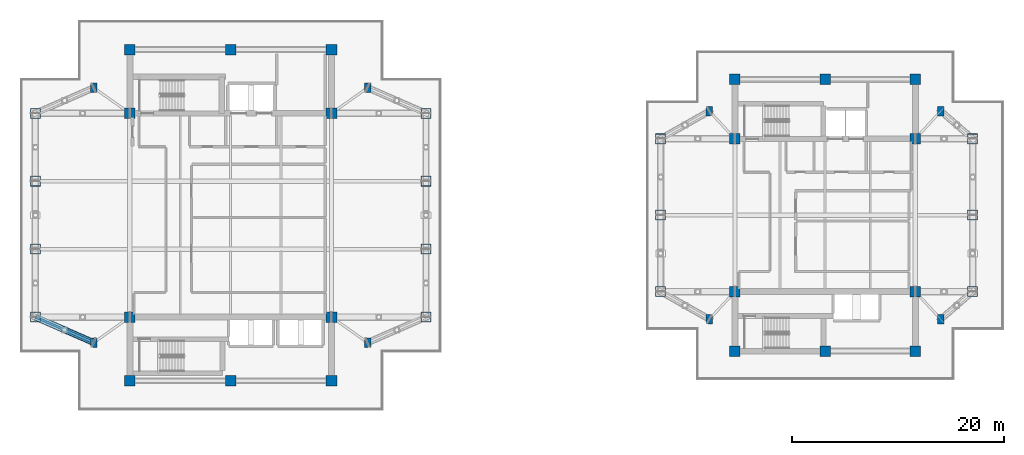
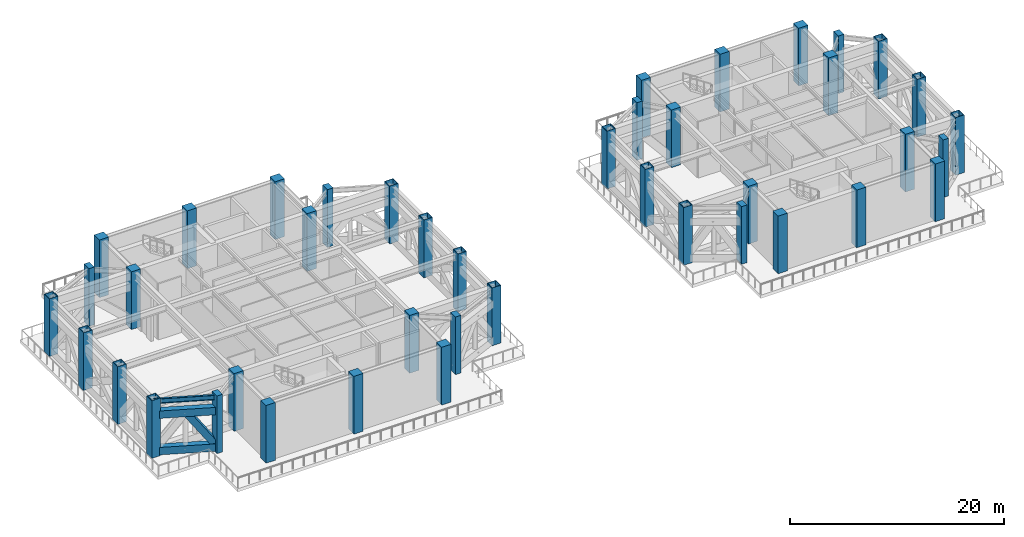
# One storey, part 1 of 18: 42 columns, 3 members, 1 beam.
"""IFC4 building model written with IfcOpenShell, lengths in metres."""

from ifc_helpers import new_model, si_unit, direction, frame, origin, origin_2d, place, context, subcontext, project, spatial, rectangle, hollow_rectangle, i_section, extrude, material, material_profile, profile_set, type_object, element, save


model = new_model("IFC4")

# Units and contexts
model_context = context("Model", 3, precision=1e-05, world=origin(), true_north=direction((0.0, 1.0)))
body_context = subcontext(model_context, "Body", "Model", "MODEL_VIEW")
ifc_project = project(units=[si_unit("LENGTHUNIT", "METRE"), si_unit("AREAUNIT", "SQUARE_METRE"), si_unit("VOLUMEUNIT", "CUBIC_METRE"), si_unit("PLANEANGLEUNIT", "RADIAN"), si_unit("MASSUNIT", "GRAM", prefix="KILO")], contexts=[model_context])

# Site, building, storey
site_placement = place(None, origin())
site = spatial("IfcSite", under=ifc_project, at=site_placement, CompositionType="ELEMENT")
building_placement = place(site_placement, origin())
building = spatial("IfcBuilding", under=site, at=building_placement, Name="Mirazonda Arch Towers", CompositionType="ELEMENT")
storey_placement = place(building_placement, frame((0.0, 0.0, 147.800048828125)))
storey = spatial("IfcBuildingStorey", under=building, at=storey_placement, Name="L42", CompositionType="ELEMENT", Elevation=147.800048828125)

# Columns
ifc_material_1 = material(Name="Concrete C50/60", Category="concrete")
ifc_material_profile_1 = material_profile(ifc_material_1, rectangle(XDim=1.0, YDim=1.0, at=origin_2d()), Name="RC1000x1000")
ifc_profile_set_1 = profile_set([ifc_material_profile_1], Name="Concrete C50/60")
column_type_1 = type_object("IfcColumnType", Name="COL-INT-RC1000x1000", PredefinedType="COLUMN", material=ifc_profile_set_1)
for number, where, z_axis, x_axis, name in (
    (1, (11.0, 12.39990234375, 0.0), (0.0, 0.0, 1.0), (1.0, 0.0, 0.0), "L42 T1 Core Column 01"),
    (2, (20.5, 12.39990234375, 0.0), (0.0, 0.0, 1.0), (1.0, 0.0, 0.0), "L42 T1 Core Column 02"),
    (3, (30.0, 12.39990234375, 0.0), (0.0, 0.0, 1.0), (1.0, 0.0, 0.0), "L42 T1 Core Column 03"),
    (4, (11.0, 18.39990234375, 0.0), (0.0, 0.0, 1.0), (1.0, 0.0, 0.0), "L42 T1 Core Column 04"),
    (5, (30.0, 18.39990234375, 0.0), (0.0, 0.0, 1.0), (1.0, 0.0, 0.0), "L42 T1 Core Column 05"),
    (6, (11.0, 37.60009765625, 0.0), (0.0, 0.0, 1.0), (1.0, 0.0, 0.0), "L42 T1 Core Column 06"),
    (7, (30.0, 37.60009765625, 0.0), (0.0, 0.0, 1.0), (1.0, 0.0, 0.0), "L42 T1 Core Column 07"),
    (8, (11.0, 43.60009765625, 0.0), (0.0, 0.0, 1.0), (1.0, 0.0, 0.0), "L42 T1 Core Column 08"),
    (9, (20.5, 43.60009765625, 0.0), (0.0, 0.0, 1.0), (1.0, 0.0, 0.0), "L42 T1 Core Column 09"),
    (10, (30.0, 43.60009765625, 0.0), (0.0, 0.0, 1.0), (1.0, 0.0, 0.0), "L42 T1 Core Column 10"),
    (11, (68.0, 15.199951171875, 0.0), (0.0, 0.0, 1.0), (1.0, 0.0, 0.0), "L42 T2 Core Column 01"),
    (12, (76.5, 15.199951171875, 0.0), (0.0, 0.0, 1.0), (1.0, 0.0, 0.0), "L42 T2 Core Column 02"),
    (13, (85.0, 15.199951171875, 0.0), (0.0, 0.0, 1.0), (1.0, 0.0, 0.0), "L42 T2 Core Column 03"),
    (14, (68.0, 20.800048828125, 0.0), (0.0, 0.0, 1.0), (1.0, 0.0, 0.0), "L42 T2 Core Column 04"),
    (15, (85.0, 20.800048828125, 0.0), (0.0, 0.0, 1.0), (1.0, 0.0, 0.0), "L42 T2 Core Column 05"),
    (16, (68.0, 35.199951171875, 0.0), (0.0, 0.0, 1.0), (1.0, 0.0, 0.0), "L42 T2 Core Column 06"),
    (17, (85.0, 35.199951171875, 0.0), (0.0, 0.0, 1.0), (1.0, 0.0, 0.0), "L42 T2 Core Column 07"),
    (18, (68.0, 40.800048828125, 0.0), (0.0, 0.0, 1.0), (1.0, 0.0, 0.0), "L42 T2 Core Column 08"),
    (19, (76.5, 40.800048828125, 0.0), (0.0, 0.0, 1.0), (1.0, 0.0, 0.0), "L42 T2 Core Column 09"),
    (20, (85.0, 40.800048828125, 0.0), (0.0, 0.0, 1.0), (1.0, 0.0, 0.0), "L42 T2 Core Column 10"),
):
    element("IfcColumn", number, at=place(storey_placement, frame(where, z_axis=z_axis, x_axis=x_axis)), inside=storey, type_object=column_type_1, Name=name, PredefinedType="COLUMN", context=body_context, shape_type="SweptSolid", body=[
        extrude(rectangle(XDim=1.0, YDim=1.0, at=origin_2d()), origin(), (0.0, 0.0, 1.0), 6.599853515625),
    ])
ifc_material_2 = material(Name="Steel ASTM A572 Grade 50", Category="steel")
ifc_material_profile_2 = material_profile(ifc_material_2, hollow_rectangle(XDim=0.949951171875, YDim=0.949951171875, WallThickness=0.050048828125, at=origin_2d()), Name="BOX950x950x50")
ifc_profile_set_2 = profile_set([ifc_material_profile_2], Name="Steel ASTM A572 Grade 50")
column_type_2 = type_object("IfcColumnType", Name="MCOL-EXT-BOX950x950x50", PredefinedType="COLUMN", material=ifc_profile_set_2)
for number, where, z_axis, x_axis, name in (
    (21, (2.10009765625, 18.39990234375, 0.0), (0.0, 0.0, 1.0), (1.0, 0.0, 0.0), "L42 T1 Composite Mega-Column 01"),
    (22, (2.10009765625, 24.800048828125, 0.0), (0.0, 0.0, 1.0), (1.0, 0.0, 0.0), "L42 T1 Composite Mega-Column 02"),
    (23, (2.10009765625, 31.199951171875, 0.0), (0.0, 0.0, 1.0), (1.0, 0.0, 0.0), "L42 T1 Composite Mega-Column 03"),
    (24, (2.10009765625, 37.60009765625, 0.0), (0.0, 0.0, 1.0), (1.0, 0.0, 0.0), "L42 T1 Composite Mega-Column 04"),
    (25, (38.89990234375, 18.39990234375, 0.0), (0.0, 0.0, 1.0), (1.0, 0.0, 0.0), "L42 T1 Composite Mega-Column 05"),
    (26, (38.89990234375, 24.800048828125, 0.0), (0.0, 0.0, 1.0), (1.0, 0.0, 0.0), "L42 T1 Composite Mega-Column 06"),
    (27, (38.89990234375, 31.199951171875, 0.0), (0.0, 0.0, 1.0), (1.0, 0.0, 0.0), "L42 T1 Composite Mega-Column 07"),
    (28, (38.89990234375, 37.60009765625, 0.0), (0.0, 0.0, 1.0), (1.0, 0.0, 0.0), "L42 T1 Composite Mega-Column 08"),
    (29, (61.0, 20.800048828125, 0.0), (0.0, 0.0, 1.0), (1.0, 0.0, 0.0), "L42 T2 Composite Mega-Column 01"),
    (30, (61.0, 28.0, 0.0), (0.0, 0.0, 1.0), (1.0, 0.0, 0.0), "L42 T2 Composite Mega-Column 02"),
    (31, (61.0, 35.199951171875, 0.0), (0.0, 0.0, 1.0), (1.0, 0.0, 0.0), "L42 T2 Composite Mega-Column 03"),
    (32, (90.39990234375, 20.800048828125, 0.0), (0.0, 0.0, 1.0), (1.0, 0.0, 0.0), "L42 T2 Composite Mega-Column 04"),
    (33, (90.39990234375, 28.0, 0.0), (0.0, 0.0, 1.0), (1.0, 0.0, 0.0), "L42 T2 Composite Mega-Column 05"),
    (34, (90.39990234375, 35.199951171875, 0.0), (0.0, 0.0, 1.0), (1.0, 0.0, 0.0), "L42 T2 Composite Mega-Column 06"),
):
    element("IfcColumn", number, at=place(storey_placement, frame(where, z_axis=z_axis, x_axis=x_axis)), inside=storey, type_object=column_type_2, Name=name, PredefinedType="COLUMN", context=body_context, shape_type="SweptSolid", body=[
        extrude(hollow_rectangle(XDim=0.949951171875, YDim=0.949951171875, WallThickness=0.050048828125, at=origin_2d()), origin(), (0.0, 0.0, 1.0), 6.599853515625),
    ])
ifc_material_profile_3 = material_profile(ifc_material_1, rectangle(XDim=0.60009765625, YDim=0.89990234375, at=origin_2d()), Name="RC900x600")
ifc_profile_set_3 = profile_set([ifc_material_profile_3], Name="Concrete C50/60")
column_type_3 = type_object("IfcColumnType", Name="PIL-EXT-RC900x600", PredefinedType="PILASTER", material=ifc_profile_set_3)
for number, where, z_axis, x_axis, name in (
    (35, (7.60009765625, 16.0, 0.0), (0.0, 0.0, 1.0), (1.0, 0.0, 0.0), "L42 T1 Corner Pilaster 01"),
    (36, (33.39990234375, 16.0, 0.0), (0.0, 0.0, 1.0), (1.0, 0.0, 0.0), "L42 T1 Corner Pilaster 02"),
    (37, (7.60009765625, 40.0, 0.0), (0.0, 0.0, 1.0), (1.0, 0.0, 0.0), "L42 T1 Corner Pilaster 03"),
    (38, (33.39990234375, 40.0, 0.0), (0.0, 0.0, 1.0), (1.0, 0.0, 0.0), "L42 T1 Corner Pilaster 04"),
    (39, (65.60009765625, 18.199951171875, 0.0), (0.0, 0.0, 1.0), (1.0, 0.0, 0.0), "L42 T2 Corner Pilaster 01"),
    (40, (87.39990234375, 18.199951171875, 0.0), (0.0, 0.0, 1.0), (1.0, 0.0, 0.0), "L42 T2 Corner Pilaster 02"),
    (41, (65.60009765625, 37.800048828125, 0.0), (0.0, 0.0, 1.0), (1.0, 0.0, 0.0), "L42 T2 Corner Pilaster 03"),
    (42, (87.39990234375, 37.800048828125, 0.0), (0.0, 0.0, 1.0), (1.0, 0.0, 0.0), "L42 T2 Corner Pilaster 04"),
):
    element("IfcColumn", number, at=place(storey_placement, frame(where, z_axis=z_axis, x_axis=x_axis)), inside=storey, type_object=column_type_3, Name=name, PredefinedType="PILASTER", context=body_context, shape_type="SweptSolid", body=[
        extrude(rectangle(XDim=0.60009765625, YDim=0.89990234375, at=origin_2d()), origin(), (0.0, 0.0, 1.0), 6.599853515625),
    ])

# Beam
ifc_material_3 = material(Name="Steel ASTM A992 Grade 50", Category="steel")
ifc_material_profile_4 = material_profile(ifc_material_3, i_section(OverallWidth=0.214111328125, OverallDepth=0.549072265625, WebThickness=0.0146484375, FlangeThickness=0.023681640625, at=origin_2d()), Name="W21X93")
ifc_profile_set_4 = profile_set([ifc_material_profile_4], Name="Steel ASTM A992 Grade 50")
beam_type = type_object("IfcBeamType", Name="BM-INT-W21X93", PredefinedType="BEAM", material=ifc_profile_set_4)
beam_placement = place(storey_placement, frame((7.60009765625, 16.0, 6.12548828125), z_axis=(-0.916545343703, 0.399930785183, 0.0), x_axis=(-0.399930785183, -0.916545343703, 0.0)))
element("IfcBeam", 43, at=beam_placement, inside=storey, type_object=beam_type, Name="L42 Floor Beam BM-T1-L42-PL-SW2", PredefinedType="BEAM", context=body_context, shape_type="SweptSolid", body=[
    extrude(i_section(OverallWidth=0.214111328125, OverallDepth=0.549072265625, WebThickness=0.0146484375, FlangeThickness=0.023681640625, at=origin_2d()), origin(), (0.0, 0.0, 1.0), 6.000732421875),
])

# Members
ifc_material_profile_5 = material_profile(ifc_material_2, hollow_rectangle(XDim=0.60009765625, YDim=0.85009765625, WallThickness=0.048095703125, at=origin_2d()), Name="BELTCHORD850x600x48")
ifc_profile_set_5 = profile_set([ifc_material_profile_5], Name="Steel ASTM A572 Grade 50")
member_type_1 = type_object("IfcMemberType", Name="MBR-EXT-BELTCHORD850x600x48", PredefinedType="CHORD", material=ifc_profile_set_5)
for number, where, z_axis, x_axis, name in (
    (44, (2.10009765625, 18.39990234375, 0.550048828125), (0.916545343703, -0.399930785183, 0.0), (0.399930785183, 0.916545343703, 0.0), "L42 T1 Wind-Portal Belt Chord BC07"),
    (45, (2.10009765625, 18.39990234375, 4.719970703125), (0.916545343703, -0.399930785183, 0.0), (0.399930785183, 0.916545343703, 0.0), "L42 T1 Wind-Portal Belt Chord TC07"),
):
    element("IfcMember", number, at=place(storey_placement, frame(where, z_axis=z_axis, x_axis=x_axis)), inside=storey, type_object=member_type_1, Name=name, PredefinedType="CHORD", context=body_context, shape_type="SweptSolid", body=[
        extrude(hollow_rectangle(XDim=0.60009765625, YDim=0.85009765625, WallThickness=0.048095703125, at=origin_2d()), origin(), (0.0, 0.0, 1.0), 6.000732421875),
    ])
ifc_material_profile_6 = material_profile(ifc_material_2, hollow_rectangle(XDim=0.5, YDim=0.699951171875, WallThickness=0.0400390625, at=origin_2d()), Name="BELTDIAG700x500x40")
ifc_profile_set_6 = profile_set([ifc_material_profile_6], Name="Steel ASTM A572 Grade 50")
member_type_2 = type_object("IfcMemberType", Name="MBR-EXT-BELTDIAG700x500x40", PredefinedType="BRACE", material=ifc_profile_set_6)
member_placement = place(storey_placement, frame((7.60009765625, 16.0, 0.550048828125), z_axis=(-0.535313017564, 0.233581630089, 0.81171398615), x_axis=(-0.399930785183, -0.916545343703, 0.0)))
element("IfcMember", 46, at=member_placement, inside=storey, type_object=member_type_2, Name="L42 T1 Wind-Portal Belt Diagonal 07B", PredefinedType="BRACE", context=body_context, shape_type="SweptSolid", body=[
    extrude(hollow_rectangle(XDim=0.5, YDim=0.699951171875, WallThickness=0.0400390625, at=origin_2d()), origin(), (0.0, 0.0, 1.0), 5.13720703125),
])

save(model, "model.ifc")
